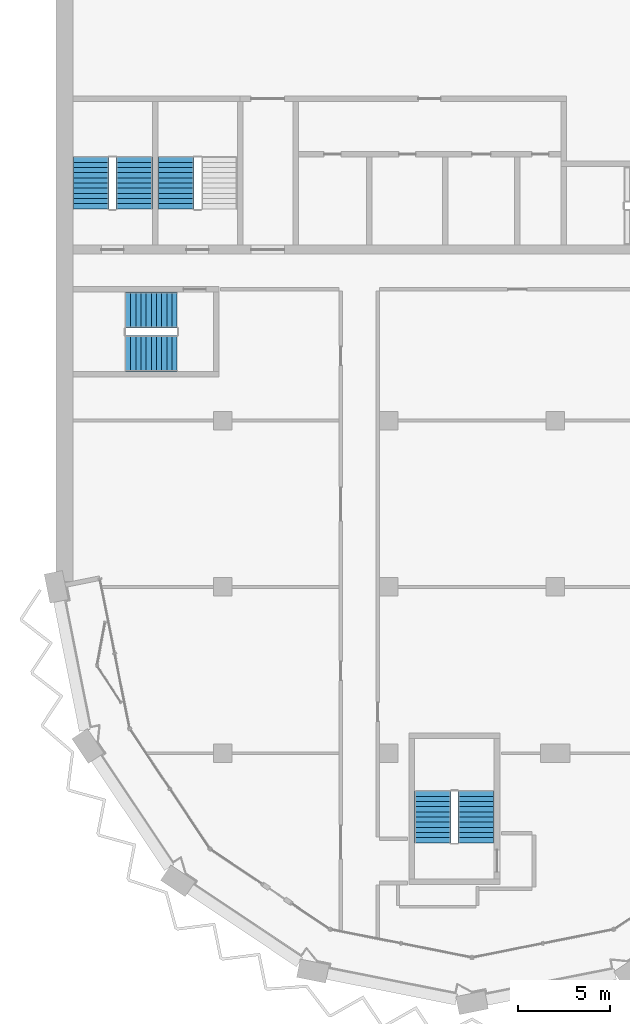
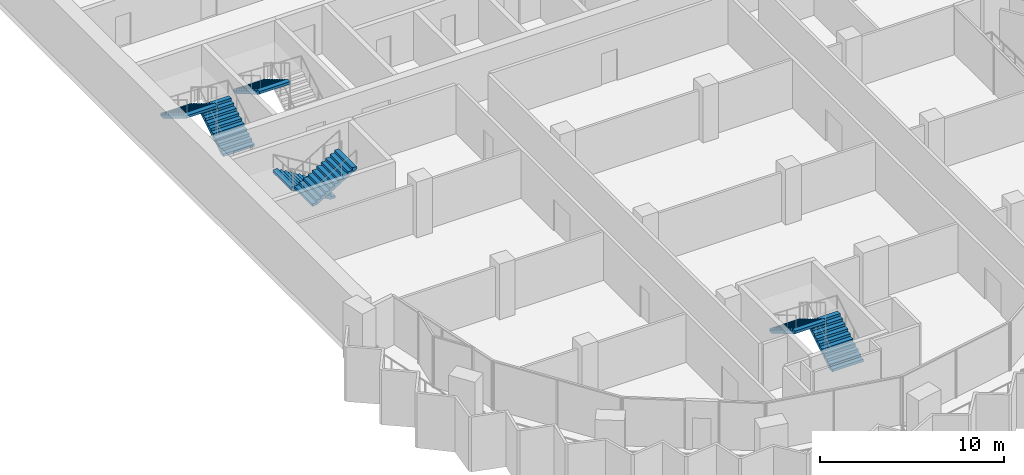
# One storey, part 12 of 17: 7 stair flights, 4 elements without a shape of their own.
"""IFC4 building model written with IfcOpenShell, lengths in metres."""

import ifcopenshell
import ifcopenshell.guid

model = None  # the IFC model being written
_history = None  # IfcOwnerHistory: only IFC2X3 demands one
_inside = {}  # id of a spatial element -> (the spatial element, [elements in it])
_under = {}  # id of a project, library or spatial element -> (it, [spatial elements below it])
_declared = {}  # id of a project -> (the project, [libraries it declares])
_typed = {}  # id of a type object -> (the type object, [elements of that type])
_made_of = {}  # id of a material, layer set ... -> (it, [elements and type objects made of it])


def new_model(schema):
    """Start an empty IFC model of exactly this schema.

    Asked for "IFC4X3", IfcOpenShell would pick the latest addendum, in which some entities
    have other attributes; the version numbers below select the first issue.
    IFC2X3 requires an IfcOwnerHistory on every rooted entity: one is made here for all.
    """
    global model, _history
    if schema == "IFC4X3":
        model = ifcopenshell.file(schema_version=(4, 3, 0, 0))
    else:
        model = ifcopenshell.file(schema=schema)
    _inside.clear()
    _under.clear()
    _declared.clear()
    _typed.clear()
    _made_of.clear()
    _history = None
    if model.schema == "IFC2X3":
        org = make("IfcOrganization", Name="unknown")
        user = make(
            "IfcPersonAndOrganization",
            ThePerson=make("IfcPerson", FamilyName="unknown"),
            TheOrganization=org,
        )
        app = make(
            "IfcApplication",
            ApplicationDeveloper=org,
            Version="unknown",
            ApplicationFullName="unknown",
            ApplicationIdentifier="unknown",
        )
        _history = make(
            "IfcOwnerHistory",
            OwningUser=user,
            OwningApplication=app,
            ChangeAction="ADDED",
            CreationDate=0,
        )
    return model


def make(cls, **values):
    """One entity of the class cls with the attributes given. An attribute that is None is left unset."""
    return model.create_entity(
        cls, **{name: value for name, value in values.items() if value is not None}
    )


def rooted(cls, **values):
    """An entity with a GlobalId (a new one), such as an element, a storey or a relation."""
    return make(cls, GlobalId=ifcopenshell.guid.new(), OwnerHistory=_history, **values)


def si_unit(unit_type, name, prefix=None):
    """IfcSIUnit, for example si_unit("LENGTHUNIT", "METRE", prefix="MILLI")."""
    return make("IfcSIUnit", UnitType=unit_type, Prefix=prefix, Name=name)


def assignment(units):
    """IfcUnitAssignment: the units of a project."""
    return None if units is None else make("IfcUnitAssignment", Units=units)


def point(xyz):
    """IfcCartesianPoint."""
    return None if xyz is None else make("IfcCartesianPoint", Coordinates=xyz)


def direction(xyz):
    """IfcDirection."""
    return None if xyz is None else make("IfcDirection", DirectionRatios=xyz)


def frame(location, z_axis=None, x_axis=None):
    """IfcAxis2Placement3D, a coordinate frame: its origin and axes. An axis left out is left unset."""
    return make(
        "IfcAxis2Placement3D",
        Location=point(location),
        Axis=direction(z_axis),
        RefDirection=direction(x_axis),
    )


def origin():
    """The frame at (0, 0, 0) with its axes left unset."""
    return frame((0.0, 0.0, 0.0))


def place(relative_to, where):
    """IfcLocalPlacement: puts the frame where relative to a parent placement (None: the world)."""
    return make(
        "IfcLocalPlacement", PlacementRelTo=relative_to, RelativePlacement=where
    )


def context(
    kind, dimensions, precision=None, world=None, true_north=None, identifier=None
):
    """IfcGeometricRepresentationContext, for example the 3D "Model" context."""
    return make(
        "IfcGeometricRepresentationContext",
        ContextIdentifier=identifier,
        ContextType=kind,
        CoordinateSpaceDimension=dimensions,
        Precision=precision,
        WorldCoordinateSystem=world,
        TrueNorth=true_north,
    )


def subcontext(parent, identifier, kind, view, scale=None):
    """IfcGeometricRepresentationSubContext, for example "Body" below "Model"."""
    return make(
        "IfcGeometricRepresentationSubContext",
        ContextIdentifier=identifier,
        ContextType=kind,
        ParentContext=parent,
        TargetScale=scale,
        TargetView=view,
    )


def project(units=None, contexts=None):
    """IfcProject with its units and contexts."""
    return rooted(
        "IfcProject",
        Name="project",
        RepresentationContexts=contexts,
        UnitsInContext=assignment(units),
    )


def spatial(cls, under=None, at=None, **own):
    """A site, building, storey or space (cls), placed at a placement, below another one or the project."""
    s = rooted(cls, ObjectPlacement=at, **own)
    if under is not None:
        _under.setdefault(under.id(), (under, []))[1].append(s)
    return s


def polyline(points):
    """IfcPolyline through the points."""
    return make("IfcPolyline", Points=[point(p) for p in points])


def outline(outer, holes=None, kind="AREA"):
    """IfcArbitraryClosedProfileDef: a profile drawn as a closed curve; with holes, ...WithVoids."""
    if holes is None:
        return make("IfcArbitraryClosedProfileDef", ProfileType=kind, OuterCurve=outer)
    return make(
        "IfcArbitraryProfileDefWithVoids",
        ProfileType=kind,
        OuterCurve=outer,
        InnerCurves=holes,
    )


def extrude(swept, where, along, depth):
    """IfcExtrudedAreaSolid: the profile swept, set in the frame where, extruded along a direction by depth."""
    return make(
        "IfcExtrudedAreaSolid",
        SweptArea=swept,
        Position=where,
        ExtrudedDirection=direction(along),
        Depth=depth,
    )


def shape(context_of_items, identifier, shape_type, items):
    """IfcShapeRepresentation: the items that make up one representation, for example the "Body"."""
    return make(
        "IfcShapeRepresentation",
        ContextOfItems=context_of_items,
        RepresentationIdentifier=identifier,
        RepresentationType=shape_type,
        Items=items,
    )


def material(Name=None, Category=None):
    """IfcMaterial."""
    return make("IfcMaterial", Name=Name, Category=Category)


def made_of(thing, what):
    """Note that an element or type object is made of a material, layer set ...; save() writes the relation."""
    if what is not None:
        _made_of.setdefault(what.id(), (what, []))[1].append(thing)
    return thing


def type_object(cls, material=None, **own):
    """A type object (cls), such as IfcWallType, which elements share."""
    return made_of(rooted(cls, **own), material)


def element(
    cls,
    number,
    at=None,
    inside=None,
    cuts=None,
    type_object=None,
    material=None,
    context=None,
    identifier="Body",
    shape_type=None,
    held_by="IfcProductDefinitionShape",
    body=None,
    shapes=None,
    **own,
):
    """One element of the class cls, such as IfcWall. Its Tag is "e" and its number.

    at: its placement. inside: the storey or other place that contains it. cuts: it is an
    opening in that element (IfcRelVoidsElement). A single representation is given by context,
    identifier, shape_type and body (its items); several are given by shapes. held_by: the class
    of the entity that holds the representations. save() writes the other relations.
    """
    e = rooted(cls, Tag="e%d" % number, ObjectPlacement=at, **own)
    if body is not None:
        shapes = [shape(context, identifier, shape_type, body)]
    if shapes is not None:
        e.Representation = make(held_by, Representations=shapes)
    if inside is not None:
        _inside.setdefault(inside.id(), (inside, []))[1].append(e)
    if cuts is not None:
        rooted(
            "IfcRelVoidsElement", RelatingBuildingElement=cuts, RelatedOpeningElement=e
        )
    if type_object is not None:
        _typed.setdefault(type_object.id(), (type_object, []))[1].append(e)
    return made_of(e, material)


def aggregate(whole, parts):
    """IfcRelAggregates: a whole, such as a stair, and the parts it consists of."""
    return rooted("IfcRelAggregates", RelatingObject=whole, RelatedObjects=parts)


def save(model, path):
    """Write the relations noted so far, then the file.

    IfcRelAggregates (storeys below a building ...), IfcRelContainedInSpatialStructure (elements
    in a storey), IfcRelDefinesByType, IfcRelAssociatesMaterial and IfcRelDeclares: one each for
    every whole, place, type object, material and project.
    """
    for whole, parts in _under.values():
        aggregate(whole, parts)
    for where, things in _inside.values():
        rooted(
            "IfcRelContainedInSpatialStructure",
            RelatedElements=things,
            RelatingStructure=where,
        )
    for kind, things in _typed.values():
        rooted("IfcRelDefinesByType", RelatedObjects=things, RelatingType=kind)
    for what, things in _made_of.values():
        rooted("IfcRelAssociatesMaterial", RelatedObjects=things, RelatingMaterial=what)
    for by, libraries in _declared.values():
        rooted("IfcRelDeclares", RelatingContext=by, RelatedDefinitions=libraries)
    model.write(path)


model = new_model("IFC4")

# Units and contexts
model_context = context("Model", 3, precision=1e-05, world=origin(), true_north=direction((0.0, 1.0)))
body_context = subcontext(model_context, "Body", "Model", "MODEL_VIEW")
ifc_project = project(units=[si_unit("LENGTHUNIT", "METRE"), si_unit("AREAUNIT", "SQUARE_METRE"), si_unit("VOLUMEUNIT", "CUBIC_METRE"), si_unit("PLANEANGLEUNIT", "RADIAN"), si_unit("MASSUNIT", "GRAM", prefix="KILO")], contexts=[model_context])

# Site, building, storey
site_placement = place(None, origin())
site = spatial("IfcSite", under=ifc_project, at=site_placement, CompositionType="ELEMENT")
building_placement = place(site_placement, origin())
building = spatial("IfcBuilding", under=site, at=building_placement, Name="Hunhe Ridgeline Campus", CompositionType="ELEMENT")
storey_placement = place(building_placement, frame((0.0, 0.0, 272.5)))
storey = spatial("IfcBuildingStorey", under=building, at=storey_placement, Name="L70", CompositionType="ELEMENT", Elevation=272.5)

# Stair, stair flights
ifc_material = material(Name="Concrete C40", Category="concrete")
stair_type = type_object("IfcStairType", Name="Reinforced concrete dog-leg stair 1950 Concrete C40", PredefinedType="HALF_TURN_STAIR", material=ifc_material)
stair_1_placement = place(storey_placement, origin())
stair_1 = element("IfcStair", 1, at=stair_1_placement, inside=storey, type_object=stair_type, Name="L70 S3", PredefinedType="HALF_TURN_STAIR")
stair_flight_type = type_object("IfcStairFlightType", Name="Reinforced concrete stair flight 1950 Concrete C40", PredefinedType="STRAIGHT", material=ifc_material)
stair_flight_1_placement = place(storey_placement, frame((4.22509765625, 65.449951171875, 0.0), z_axis=(0.0, 0.0, 1.0), x_axis=(0.0, 1.0, 0.0)))
stair_flight_1 = element("IfcStairFlight", 2, at=stair_flight_1_placement, type_object=stair_flight_type, Name="ST3 flight 1", NumberOfRisers=11, NumberOfTreads=10, PredefinedType="STRAIGHT", RiserHeight=0.168181818, TreadLength=0.28, context=body_context, shape_type="SweptSolid", body=[
    extrude(outline(polyline([(0.0, 0.0), (0.0, 0.168212890625), (0.280029296875, 0.168212890625), (0.280029296875, 0.33642578125), (0.56005859375, 0.33642578125), (0.56005859375, 0.504638671875), (0.840087890625, 0.504638671875), (0.840087890625, 0.672607421875), (1.1201171875, 0.672607421875), (1.1201171875, 0.8408203125), (1.39990234375, 0.8408203125), (1.39990234375, 1.009033203125), (1.679931640625, 1.009033203125), (1.679931640625, 1.17724609375), (1.9599609375, 1.17724609375), (1.9599609375, 1.345458984375), (2.239990234375, 1.345458984375), (2.239990234375, 1.513671875), (2.52001953125, 1.513671875), (2.52001953125, 1.681884765625), (2.800048828125, 1.681884765625), (2.800048828125, 1.85009765625), (2.800048828125, 1.5068359375), (0.291015625, 0.0), (0.0, 0.0)])), frame((0.0, 0.97509765625, 0.0), z_axis=(0.0, -1.0, 0.0), x_axis=(1.0, 0.0, 0.0)), (0.0, 0.0, 1.0), 1.949951171875),
    extrude(outline(polyline([(0.030029296875, 0.030029296875), (0.030029296875, 0.13818359375), (0.31005859375, 0.13818359375), (0.31005859375, 0.306396484375), (0.590087890625, 0.306396484375), (0.590087890625, 0.474609375), (0.8701171875, 0.474609375), (0.8701171875, 0.642578125), (1.14990234375, 0.642578125), (1.14990234375, 0.810791015625), (1.429931640625, 0.810791015625), (1.429931640625, 0.97900390625), (1.7099609375, 0.97900390625), (1.7099609375, 1.147216796875), (1.989990234375, 1.147216796875), (1.989990234375, 1.3154296875), (2.27001953125, 1.3154296875), (2.27001953125, 1.483642578125), (2.550048828125, 1.483642578125), (2.550048828125, 1.65185546875), (2.77001953125, 1.65185546875), (2.77001953125, 1.52392578125), (0.28271484375, 0.030029296875), (0.030029296875, 0.030029296875)])), frame((0.0, -0.070068359375, 0.0), z_axis=(0.0, -1.0, 0.0), x_axis=(1.0, 0.0, 0.0)), (0.0, 0.0, 1.0), 0.019775390625),
    extrude(outline(polyline([(0.030029296875, 0.030029296875), (0.030029296875, 0.13818359375), (0.31005859375, 0.13818359375), (0.31005859375, 0.306396484375), (0.590087890625, 0.306396484375), (0.590087890625, 0.474609375), (0.8701171875, 0.474609375), (0.8701171875, 0.642578125), (1.14990234375, 0.642578125), (1.14990234375, 0.810791015625), (1.429931640625, 0.810791015625), (1.429931640625, 0.97900390625), (1.7099609375, 0.97900390625), (1.7099609375, 1.147216796875), (1.989990234375, 1.147216796875), (1.989990234375, 1.3154296875), (2.27001953125, 1.3154296875), (2.27001953125, 1.483642578125), (2.550048828125, 1.483642578125), (2.550048828125, 1.65185546875), (2.77001953125, 1.65185546875), (2.77001953125, 1.52392578125), (0.28271484375, 0.030029296875), (0.030029296875, 0.030029296875)])), frame((0.0, 0.010009765625, 0.0), z_axis=(0.0, -1.0, 0.0), x_axis=(1.0, 0.0, 0.0)), (0.0, 0.0, 1.0), 0.019775390625),
    extrude(outline(polyline([(0.030029296875, 0.030029296875), (0.030029296875, 0.13818359375), (0.31005859375, 0.13818359375), (0.31005859375, 0.306396484375), (0.590087890625, 0.306396484375), (0.590087890625, 0.474609375), (0.8701171875, 0.474609375), (0.8701171875, 0.642578125), (1.14990234375, 0.642578125), (1.14990234375, 0.810791015625), (1.429931640625, 0.810791015625), (1.429931640625, 0.97900390625), (1.7099609375, 0.97900390625), (1.7099609375, 1.147216796875), (1.989990234375, 1.147216796875), (1.989990234375, 1.3154296875), (2.27001953125, 1.3154296875), (2.27001953125, 1.483642578125), (2.550048828125, 1.483642578125), (2.550048828125, 1.65185546875), (2.77001953125, 1.65185546875), (2.77001953125, 1.52392578125), (0.28271484375, 0.030029296875), (0.030029296875, 0.030029296875)])), frame((0.0, 0.090087890625, 0.0), z_axis=(0.0, -1.0, 0.0), x_axis=(1.0, 0.0, 0.0)), (0.0, 0.0, 1.0), 0.019775390625),
])
stair_flight_2_placement = place(storey_placement, frame((1.875, 68.25, 1.85009765625), z_axis=(0.0, 0.0, 1.0), x_axis=(0.0, -1.0, 0.0)))
stair_flight_2 = element("IfcStairFlight", 3, at=stair_flight_2_placement, type_object=stair_flight_type, Name="ST3 flight 2", NumberOfRisers=11, NumberOfTreads=10, PredefinedType="STRAIGHT", RiserHeight=0.168181818, TreadLength=0.28, context=body_context, shape_type="SweptSolid", body=[
    extrude(outline(polyline([(0.0, 0.0), (0.0, 0.168212890625), (0.280029296875, 0.168212890625), (0.280029296875, 0.33642578125), (0.56005859375, 0.33642578125), (0.56005859375, 0.504638671875), (0.840087890625, 0.504638671875), (0.840087890625, 0.672607421875), (1.1201171875, 0.672607421875), (1.1201171875, 0.8408203125), (1.39990234375, 0.8408203125), (1.39990234375, 1.009033203125), (1.679931640625, 1.009033203125), (1.679931640625, 1.17724609375), (1.9599609375, 1.17724609375), (1.9599609375, 1.345458984375), (2.239990234375, 1.345458984375), (2.239990234375, 1.513671875), (2.52001953125, 1.513671875), (2.52001953125, 1.681884765625), (2.800048828125, 1.681884765625), (2.800048828125, 1.85009765625), (2.800048828125, 1.5068359375), (0.291015625, 0.0), (0.0, 0.0)])), frame((0.0, 0.97509765625, 0.0), z_axis=(0.0, -1.0, 0.0), x_axis=(1.0, 0.0, 0.0)), (0.0, 0.0, 1.0), 1.949951171875),
    extrude(outline(polyline([(0.030029296875, 0.030029296875), (0.030029296875, 0.13818359375), (0.31005859375, 0.13818359375), (0.31005859375, 0.306396484375), (0.590087890625, 0.306396484375), (0.590087890625, 0.474609375), (0.8701171875, 0.474609375), (0.8701171875, 0.642578125), (1.14990234375, 0.642578125), (1.14990234375, 0.810791015625), (1.429931640625, 0.810791015625), (1.429931640625, 0.97900390625), (1.7099609375, 0.97900390625), (1.7099609375, 1.147216796875), (1.989990234375, 1.147216796875), (1.989990234375, 1.3154296875), (2.27001953125, 1.3154296875), (2.27001953125, 1.483642578125), (2.550048828125, 1.483642578125), (2.550048828125, 1.65185546875), (2.77001953125, 1.65185546875), (2.77001953125, 1.52392578125), (0.28271484375, 0.030029296875), (0.030029296875, 0.030029296875)])), frame((0.0, -0.070068359375, 0.0), z_axis=(0.0, -1.0, 0.0), x_axis=(1.0, 0.0, 0.0)), (0.0, 0.0, 1.0), 0.019775390625),
    extrude(outline(polyline([(0.030029296875, 0.030029296875), (0.030029296875, 0.13818359375), (0.31005859375, 0.13818359375), (0.31005859375, 0.306396484375), (0.590087890625, 0.306396484375), (0.590087890625, 0.474609375), (0.8701171875, 0.474609375), (0.8701171875, 0.642578125), (1.14990234375, 0.642578125), (1.14990234375, 0.810791015625), (1.429931640625, 0.810791015625), (1.429931640625, 0.97900390625), (1.7099609375, 0.97900390625), (1.7099609375, 1.147216796875), (1.989990234375, 1.147216796875), (1.989990234375, 1.3154296875), (2.27001953125, 1.3154296875), (2.27001953125, 1.483642578125), (2.550048828125, 1.483642578125), (2.550048828125, 1.65185546875), (2.77001953125, 1.65185546875), (2.77001953125, 1.52392578125), (0.28271484375, 0.030029296875), (0.030029296875, 0.030029296875)])), frame((0.0, 0.010009765625, 0.0), z_axis=(0.0, -1.0, 0.0), x_axis=(1.0, 0.0, 0.0)), (0.0, 0.0, 1.0), 0.019775390625),
    extrude(outline(polyline([(0.030029296875, 0.030029296875), (0.030029296875, 0.13818359375), (0.31005859375, 0.13818359375), (0.31005859375, 0.306396484375), (0.590087890625, 0.306396484375), (0.590087890625, 0.474609375), (0.8701171875, 0.474609375), (0.8701171875, 0.642578125), (1.14990234375, 0.642578125), (1.14990234375, 0.810791015625), (1.429931640625, 0.810791015625), (1.429931640625, 0.97900390625), (1.7099609375, 0.97900390625), (1.7099609375, 1.147216796875), (1.989990234375, 1.147216796875), (1.989990234375, 1.3154296875), (2.27001953125, 1.3154296875), (2.27001953125, 1.483642578125), (2.550048828125, 1.483642578125), (2.550048828125, 1.65185546875), (2.77001953125, 1.65185546875), (2.77001953125, 1.52392578125), (0.28271484375, 0.030029296875), (0.030029296875, 0.030029296875)])), frame((0.0, 0.090087890625, 0.0), z_axis=(0.0, -1.0, 0.0), x_axis=(1.0, 0.0, 0.0)), (0.0, 0.0, 1.0), 0.019775390625),
])
aggregate(stair_1, [stair_flight_1, stair_flight_2])

# Stair, stair flight
stair_2_placement = place(storey_placement, origin())
stair_2 = element("IfcStair", 4, at=stair_2_placement, inside=storey, type_object=stair_type, Name="L70 S4", PredefinedType="HALF_TURN_STAIR")
stair_flight_3_placement = place(storey_placement, frame((6.47509765625, 68.25, 1.85009765625), z_axis=(0.0, 0.0, 1.0), x_axis=(0.0, -1.0, 0.0)))
stair_flight_3 = element("IfcStairFlight", 5, at=stair_flight_3_placement, type_object=stair_flight_type, Name="ST4 flight 2", NumberOfRisers=11, NumberOfTreads=10, PredefinedType="STRAIGHT", RiserHeight=0.168181818, TreadLength=0.28, context=body_context, shape_type="SweptSolid", body=[
    extrude(outline(polyline([(0.0, 0.0), (0.0, 0.168212890625), (0.280029296875, 0.168212890625), (0.280029296875, 0.33642578125), (0.56005859375, 0.33642578125), (0.56005859375, 0.504638671875), (0.840087890625, 0.504638671875), (0.840087890625, 0.672607421875), (1.1201171875, 0.672607421875), (1.1201171875, 0.8408203125), (1.39990234375, 0.8408203125), (1.39990234375, 1.009033203125), (1.679931640625, 1.009033203125), (1.679931640625, 1.17724609375), (1.9599609375, 1.17724609375), (1.9599609375, 1.345458984375), (2.239990234375, 1.345458984375), (2.239990234375, 1.513671875), (2.52001953125, 1.513671875), (2.52001953125, 1.681884765625), (2.800048828125, 1.681884765625), (2.800048828125, 1.85009765625), (2.800048828125, 1.5068359375), (0.291015625, 0.0), (0.0, 0.0)])), frame((0.0, 0.97509765625, 0.0), z_axis=(0.0, -1.0, 0.0), x_axis=(1.0, 0.0, 0.0)), (0.0, 0.0, 1.0), 1.949951171875),
    extrude(outline(polyline([(0.030029296875, 0.030029296875), (0.030029296875, 0.13818359375), (0.31005859375, 0.13818359375), (0.31005859375, 0.306396484375), (0.590087890625, 0.306396484375), (0.590087890625, 0.474609375), (0.8701171875, 0.474609375), (0.8701171875, 0.642578125), (1.14990234375, 0.642578125), (1.14990234375, 0.810791015625), (1.429931640625, 0.810791015625), (1.429931640625, 0.97900390625), (1.7099609375, 0.97900390625), (1.7099609375, 1.147216796875), (1.989990234375, 1.147216796875), (1.989990234375, 1.3154296875), (2.27001953125, 1.3154296875), (2.27001953125, 1.483642578125), (2.550048828125, 1.483642578125), (2.550048828125, 1.65185546875), (2.77001953125, 1.65185546875), (2.77001953125, 1.52392578125), (0.28271484375, 0.030029296875), (0.030029296875, 0.030029296875)])), frame((0.0, -0.070068359375, 0.0), z_axis=(0.0, -1.0, 0.0), x_axis=(1.0, 0.0, 0.0)), (0.0, 0.0, 1.0), 0.019775390625),
    extrude(outline(polyline([(0.030029296875, 0.030029296875), (0.030029296875, 0.13818359375), (0.31005859375, 0.13818359375), (0.31005859375, 0.306396484375), (0.590087890625, 0.306396484375), (0.590087890625, 0.474609375), (0.8701171875, 0.474609375), (0.8701171875, 0.642578125), (1.14990234375, 0.642578125), (1.14990234375, 0.810791015625), (1.429931640625, 0.810791015625), (1.429931640625, 0.97900390625), (1.7099609375, 0.97900390625), (1.7099609375, 1.147216796875), (1.989990234375, 1.147216796875), (1.989990234375, 1.3154296875), (2.27001953125, 1.3154296875), (2.27001953125, 1.483642578125), (2.550048828125, 1.483642578125), (2.550048828125, 1.65185546875), (2.77001953125, 1.65185546875), (2.77001953125, 1.52392578125), (0.28271484375, 0.030029296875), (0.030029296875, 0.030029296875)])), frame((0.0, 0.010009765625, 0.0), z_axis=(0.0, -1.0, 0.0), x_axis=(1.0, 0.0, 0.0)), (0.0, 0.0, 1.0), 0.019775390625),
    extrude(outline(polyline([(0.030029296875, 0.030029296875), (0.030029296875, 0.13818359375), (0.31005859375, 0.13818359375), (0.31005859375, 0.306396484375), (0.590087890625, 0.306396484375), (0.590087890625, 0.474609375), (0.8701171875, 0.474609375), (0.8701171875, 0.642578125), (1.14990234375, 0.642578125), (1.14990234375, 0.810791015625), (1.429931640625, 0.810791015625), (1.429931640625, 0.97900390625), (1.7099609375, 0.97900390625), (1.7099609375, 1.147216796875), (1.989990234375, 1.147216796875), (1.989990234375, 1.3154296875), (2.27001953125, 1.3154296875), (2.27001953125, 1.483642578125), (2.550048828125, 1.483642578125), (2.550048828125, 1.65185546875), (2.77001953125, 1.65185546875), (2.77001953125, 1.52392578125), (0.28271484375, 0.030029296875), (0.030029296875, 0.030029296875)])), frame((0.0, 0.090087890625, 0.0), z_axis=(0.0, -1.0, 0.0), x_axis=(1.0, 0.0, 0.0)), (0.0, 0.0, 1.0), 0.019775390625),
])
aggregate(stair_2, [stair_flight_3])

# Stair, stair flights
stair_3_placement = place(storey_placement, origin())
stair_3 = element("IfcStair", 6, at=stair_3_placement, inside=storey, type_object=stair_type, Name="L70 W3", PredefinedType="HALF_TURN_STAIR")
stair_flight_4_placement = place(storey_placement, frame((22.72509765625, 31.14990234375, 0.0), z_axis=(0.0, 0.0, 1.0), x_axis=(0.0, 1.0, 0.0)))
stair_flight_4 = element("IfcStairFlight", 7, at=stair_flight_4_placement, type_object=stair_flight_type, Name="ST9 flight 1", NumberOfRisers=11, NumberOfTreads=10, PredefinedType="STRAIGHT", RiserHeight=0.168181818, TreadLength=0.28, context=body_context, shape_type="SweptSolid", body=[
    extrude(outline(polyline([(0.0, 0.0), (0.0, 0.168212890625), (0.280029296875, 0.168212890625), (0.280029296875, 0.33642578125), (0.56005859375, 0.33642578125), (0.56005859375, 0.504638671875), (0.840087890625, 0.504638671875), (0.840087890625, 0.672607421875), (1.1201171875, 0.672607421875), (1.1201171875, 0.8408203125), (1.39990234375, 0.8408203125), (1.39990234375, 1.009033203125), (1.679931640625, 1.009033203125), (1.679931640625, 1.17724609375), (1.9599609375, 1.17724609375), (1.9599609375, 1.345458984375), (2.239990234375, 1.345458984375), (2.239990234375, 1.513671875), (2.52001953125, 1.513671875), (2.52001953125, 1.681884765625), (2.800048828125, 1.681884765625), (2.800048828125, 1.85009765625), (2.800048828125, 1.5068359375), (0.291015625, 0.0), (0.0, 0.0)])), frame((0.0, 0.97509765625, 0.0), z_axis=(0.0, -1.0, 0.0), x_axis=(1.0, 0.0, 0.0)), (0.0, 0.0, 1.0), 1.949951171875),
    extrude(outline(polyline([(0.030029296875, 0.030029296875), (0.030029296875, 0.13818359375), (0.31005859375, 0.13818359375), (0.31005859375, 0.306396484375), (0.590087890625, 0.306396484375), (0.590087890625, 0.474609375), (0.8701171875, 0.474609375), (0.8701171875, 0.642578125), (1.14990234375, 0.642578125), (1.14990234375, 0.810791015625), (1.429931640625, 0.810791015625), (1.429931640625, 0.97900390625), (1.7099609375, 0.97900390625), (1.7099609375, 1.147216796875), (1.989990234375, 1.147216796875), (1.989990234375, 1.3154296875), (2.27001953125, 1.3154296875), (2.27001953125, 1.483642578125), (2.550048828125, 1.483642578125), (2.550048828125, 1.65185546875), (2.77001953125, 1.65185546875), (2.77001953125, 1.52392578125), (0.28271484375, 0.030029296875), (0.030029296875, 0.030029296875)])), frame((0.0, -0.070068359375, 0.0), z_axis=(0.0, -1.0, 0.0), x_axis=(1.0, 0.0, 0.0)), (0.0, 0.0, 1.0), 0.019775390625),
    extrude(outline(polyline([(0.030029296875, 0.030029296875), (0.030029296875, 0.13818359375), (0.31005859375, 0.13818359375), (0.31005859375, 0.306396484375), (0.590087890625, 0.306396484375), (0.590087890625, 0.474609375), (0.8701171875, 0.474609375), (0.8701171875, 0.642578125), (1.14990234375, 0.642578125), (1.14990234375, 0.810791015625), (1.429931640625, 0.810791015625), (1.429931640625, 0.97900390625), (1.7099609375, 0.97900390625), (1.7099609375, 1.147216796875), (1.989990234375, 1.147216796875), (1.989990234375, 1.3154296875), (2.27001953125, 1.3154296875), (2.27001953125, 1.483642578125), (2.550048828125, 1.483642578125), (2.550048828125, 1.65185546875), (2.77001953125, 1.65185546875), (2.77001953125, 1.52392578125), (0.28271484375, 0.030029296875), (0.030029296875, 0.030029296875)])), frame((0.0, 0.010009765625, 0.0), z_axis=(0.0, -1.0, 0.0), x_axis=(1.0, 0.0, 0.0)), (0.0, 0.0, 1.0), 0.019775390625),
    extrude(outline(polyline([(0.030029296875, 0.030029296875), (0.030029296875, 0.13818359375), (0.31005859375, 0.13818359375), (0.31005859375, 0.306396484375), (0.590087890625, 0.306396484375), (0.590087890625, 0.474609375), (0.8701171875, 0.474609375), (0.8701171875, 0.642578125), (1.14990234375, 0.642578125), (1.14990234375, 0.810791015625), (1.429931640625, 0.810791015625), (1.429931640625, 0.97900390625), (1.7099609375, 0.97900390625), (1.7099609375, 1.147216796875), (1.989990234375, 1.147216796875), (1.989990234375, 1.3154296875), (2.27001953125, 1.3154296875), (2.27001953125, 1.483642578125), (2.550048828125, 1.483642578125), (2.550048828125, 1.65185546875), (2.77001953125, 1.65185546875), (2.77001953125, 1.52392578125), (0.28271484375, 0.030029296875), (0.030029296875, 0.030029296875)])), frame((0.0, 0.090087890625, 0.0), z_axis=(0.0, -1.0, 0.0), x_axis=(1.0, 0.0, 0.0)), (0.0, 0.0, 1.0), 0.019775390625),
])
stair_flight_5_placement = place(storey_placement, frame((20.375, 33.949951171875, 1.85009765625), z_axis=(0.0, 0.0, 1.0), x_axis=(0.0, -1.0, 0.0)))
stair_flight_5 = element("IfcStairFlight", 8, at=stair_flight_5_placement, type_object=stair_flight_type, Name="ST9 flight 2", NumberOfRisers=11, NumberOfTreads=10, PredefinedType="STRAIGHT", RiserHeight=0.168181818, TreadLength=0.28, context=body_context, shape_type="SweptSolid", body=[
    extrude(outline(polyline([(0.0, 0.0), (0.0, 0.168212890625), (0.280029296875, 0.168212890625), (0.280029296875, 0.33642578125), (0.56005859375, 0.33642578125), (0.56005859375, 0.504638671875), (0.840087890625, 0.504638671875), (0.840087890625, 0.672607421875), (1.1201171875, 0.672607421875), (1.1201171875, 0.8408203125), (1.39990234375, 0.8408203125), (1.39990234375, 1.009033203125), (1.679931640625, 1.009033203125), (1.679931640625, 1.17724609375), (1.9599609375, 1.17724609375), (1.9599609375, 1.345458984375), (2.239990234375, 1.345458984375), (2.239990234375, 1.513671875), (2.52001953125, 1.513671875), (2.52001953125, 1.681884765625), (2.800048828125, 1.681884765625), (2.800048828125, 1.85009765625), (2.800048828125, 1.5068359375), (0.291015625, 0.0), (0.0, 0.0)])), frame((0.0, 0.97509765625, 0.0), z_axis=(0.0, -1.0, 0.0), x_axis=(1.0, 0.0, 0.0)), (0.0, 0.0, 1.0), 1.949951171875),
    extrude(outline(polyline([(0.030029296875, 0.030029296875), (0.030029296875, 0.13818359375), (0.31005859375, 0.13818359375), (0.31005859375, 0.306396484375), (0.590087890625, 0.306396484375), (0.590087890625, 0.474609375), (0.8701171875, 0.474609375), (0.8701171875, 0.642578125), (1.14990234375, 0.642578125), (1.14990234375, 0.810791015625), (1.429931640625, 0.810791015625), (1.429931640625, 0.97900390625), (1.7099609375, 0.97900390625), (1.7099609375, 1.147216796875), (1.989990234375, 1.147216796875), (1.989990234375, 1.3154296875), (2.27001953125, 1.3154296875), (2.27001953125, 1.483642578125), (2.550048828125, 1.483642578125), (2.550048828125, 1.65185546875), (2.77001953125, 1.65185546875), (2.77001953125, 1.52392578125), (0.28271484375, 0.030029296875), (0.030029296875, 0.030029296875)])), frame((0.0, -0.070068359375, 0.0), z_axis=(0.0, -1.0, 0.0), x_axis=(1.0, 0.0, 0.0)), (0.0, 0.0, 1.0), 0.019775390625),
    extrude(outline(polyline([(0.030029296875, 0.030029296875), (0.030029296875, 0.13818359375), (0.31005859375, 0.13818359375), (0.31005859375, 0.306396484375), (0.590087890625, 0.306396484375), (0.590087890625, 0.474609375), (0.8701171875, 0.474609375), (0.8701171875, 0.642578125), (1.14990234375, 0.642578125), (1.14990234375, 0.810791015625), (1.429931640625, 0.810791015625), (1.429931640625, 0.97900390625), (1.7099609375, 0.97900390625), (1.7099609375, 1.147216796875), (1.989990234375, 1.147216796875), (1.989990234375, 1.3154296875), (2.27001953125, 1.3154296875), (2.27001953125, 1.483642578125), (2.550048828125, 1.483642578125), (2.550048828125, 1.65185546875), (2.77001953125, 1.65185546875), (2.77001953125, 1.52392578125), (0.28271484375, 0.030029296875), (0.030029296875, 0.030029296875)])), frame((0.0, 0.010009765625, 0.0), z_axis=(0.0, -1.0, 0.0), x_axis=(1.0, 0.0, 0.0)), (0.0, 0.0, 1.0), 0.019775390625),
    extrude(outline(polyline([(0.030029296875, 0.030029296875), (0.030029296875, 0.13818359375), (0.31005859375, 0.13818359375), (0.31005859375, 0.306396484375), (0.590087890625, 0.306396484375), (0.590087890625, 0.474609375), (0.8701171875, 0.474609375), (0.8701171875, 0.642578125), (1.14990234375, 0.642578125), (1.14990234375, 0.810791015625), (1.429931640625, 0.810791015625), (1.429931640625, 0.97900390625), (1.7099609375, 0.97900390625), (1.7099609375, 1.147216796875), (1.989990234375, 1.147216796875), (1.989990234375, 1.3154296875), (2.27001953125, 1.3154296875), (2.27001953125, 1.483642578125), (2.550048828125, 1.483642578125), (2.550048828125, 1.65185546875), (2.77001953125, 1.65185546875), (2.77001953125, 1.52392578125), (0.28271484375, 0.030029296875), (0.030029296875, 0.030029296875)])), frame((0.0, 0.090087890625, 0.0), z_axis=(0.0, -1.0, 0.0), x_axis=(1.0, 0.0, 0.0)), (0.0, 0.0, 1.0), 0.019775390625),
])
aggregate(stair_3, [stair_flight_4, stair_flight_5])

stair_4_placement = place(storey_placement, origin())
stair_4 = element("IfcStair", 9, at=stair_4_placement, inside=storey, type_object=stair_type, Name="L70 W2", PredefinedType="HALF_TURN_STAIR")
stair_flight_6_placement = place(storey_placement, frame((6.550048828125, 59.97509765625, 0.0), z_axis=(0.0, 0.0, 1.0), x_axis=(-1.0, 0.0, 0.0)))
stair_flight_6 = element("IfcStairFlight", 10, at=stair_flight_6_placement, type_object=stair_flight_type, Name="ST12 flight 1", NumberOfRisers=11, NumberOfTreads=10, PredefinedType="STRAIGHT", RiserHeight=0.168181818, TreadLength=0.28, context=body_context, shape_type="SweptSolid", body=[
    extrude(outline(polyline([(0.0, 0.0), (0.0, 0.168212890625), (0.280029296875, 0.168212890625), (0.280029296875, 0.33642578125), (0.56005859375, 0.33642578125), (0.56005859375, 0.504638671875), (0.840087890625, 0.504638671875), (0.840087890625, 0.672607421875), (1.1201171875, 0.672607421875), (1.1201171875, 0.8408203125), (1.39990234375, 0.8408203125), (1.39990234375, 1.009033203125), (1.679931640625, 1.009033203125), (1.679931640625, 1.17724609375), (1.9599609375, 1.17724609375), (1.9599609375, 1.345458984375), (2.239990234375, 1.345458984375), (2.239990234375, 1.513671875), (2.52001953125, 1.513671875), (2.52001953125, 1.681884765625), (2.800048828125, 1.681884765625), (2.800048828125, 1.85009765625), (2.800048828125, 1.5068359375), (0.291015625, 0.0), (0.0, 0.0)])), frame((0.0, 0.97509765625, 0.0), z_axis=(0.0, -1.0, 0.0), x_axis=(1.0, 0.0, 0.0)), (0.0, 0.0, 1.0), 1.949951171875),
    extrude(outline(polyline([(0.030029296875, 0.030029296875), (0.030029296875, 0.13818359375), (0.31005859375, 0.13818359375), (0.31005859375, 0.306396484375), (0.590087890625, 0.306396484375), (0.590087890625, 0.474609375), (0.8701171875, 0.474609375), (0.8701171875, 0.642578125), (1.14990234375, 0.642578125), (1.14990234375, 0.810791015625), (1.429931640625, 0.810791015625), (1.429931640625, 0.97900390625), (1.7099609375, 0.97900390625), (1.7099609375, 1.147216796875), (1.989990234375, 1.147216796875), (1.989990234375, 1.3154296875), (2.27001953125, 1.3154296875), (2.27001953125, 1.483642578125), (2.550048828125, 1.483642578125), (2.550048828125, 1.65185546875), (2.77001953125, 1.65185546875), (2.77001953125, 1.52392578125), (0.28271484375, 0.030029296875), (0.030029296875, 0.030029296875)])), frame((0.0, -0.070068359375, 0.0), z_axis=(0.0, -1.0, 0.0), x_axis=(1.0, 0.0, 0.0)), (0.0, 0.0, 1.0), 0.019775390625),
    extrude(outline(polyline([(0.030029296875, 0.030029296875), (0.030029296875, 0.13818359375), (0.31005859375, 0.13818359375), (0.31005859375, 0.306396484375), (0.590087890625, 0.306396484375), (0.590087890625, 0.474609375), (0.8701171875, 0.474609375), (0.8701171875, 0.642578125), (1.14990234375, 0.642578125), (1.14990234375, 0.810791015625), (1.429931640625, 0.810791015625), (1.429931640625, 0.97900390625), (1.7099609375, 0.97900390625), (1.7099609375, 1.147216796875), (1.989990234375, 1.147216796875), (1.989990234375, 1.3154296875), (2.27001953125, 1.3154296875), (2.27001953125, 1.483642578125), (2.550048828125, 1.483642578125), (2.550048828125, 1.65185546875), (2.77001953125, 1.65185546875), (2.77001953125, 1.52392578125), (0.28271484375, 0.030029296875), (0.030029296875, 0.030029296875)])), frame((0.0, 0.010009765625, 0.0), z_axis=(0.0, -1.0, 0.0), x_axis=(1.0, 0.0, 0.0)), (0.0, 0.0, 1.0), 0.019775390625),
    extrude(outline(polyline([(0.030029296875, 0.030029296875), (0.030029296875, 0.13818359375), (0.31005859375, 0.13818359375), (0.31005859375, 0.306396484375), (0.590087890625, 0.306396484375), (0.590087890625, 0.474609375), (0.8701171875, 0.474609375), (0.8701171875, 0.642578125), (1.14990234375, 0.642578125), (1.14990234375, 0.810791015625), (1.429931640625, 0.810791015625), (1.429931640625, 0.97900390625), (1.7099609375, 0.97900390625), (1.7099609375, 1.147216796875), (1.989990234375, 1.147216796875), (1.989990234375, 1.3154296875), (2.27001953125, 1.3154296875), (2.27001953125, 1.483642578125), (2.550048828125, 1.483642578125), (2.550048828125, 1.65185546875), (2.77001953125, 1.65185546875), (2.77001953125, 1.52392578125), (0.28271484375, 0.030029296875), (0.030029296875, 0.030029296875)])), frame((0.0, 0.090087890625, 0.0), z_axis=(0.0, -1.0, 0.0), x_axis=(1.0, 0.0, 0.0)), (0.0, 0.0, 1.0), 0.019775390625),
])
stair_flight_7_placement = place(storey_placement, frame((3.75, 57.625, 1.85009765625), z_axis=(0.0, 0.0, 1.0), x_axis=(1.0, 0.0, 0.0)))
stair_flight_7 = element("IfcStairFlight", 11, at=stair_flight_7_placement, type_object=stair_flight_type, Name="ST12 flight 2", NumberOfRisers=11, NumberOfTreads=10, PredefinedType="STRAIGHT", RiserHeight=0.168181818, TreadLength=0.28, context=body_context, shape_type="SweptSolid", body=[
    extrude(outline(polyline([(0.0, 0.0), (0.0, 0.168212890625), (0.280029296875, 0.168212890625), (0.280029296875, 0.33642578125), (0.56005859375, 0.33642578125), (0.56005859375, 0.504638671875), (0.840087890625, 0.504638671875), (0.840087890625, 0.672607421875), (1.1201171875, 0.672607421875), (1.1201171875, 0.8408203125), (1.39990234375, 0.8408203125), (1.39990234375, 1.009033203125), (1.679931640625, 1.009033203125), (1.679931640625, 1.17724609375), (1.9599609375, 1.17724609375), (1.9599609375, 1.345458984375), (2.239990234375, 1.345458984375), (2.239990234375, 1.513671875), (2.52001953125, 1.513671875), (2.52001953125, 1.681884765625), (2.800048828125, 1.681884765625), (2.800048828125, 1.85009765625), (2.800048828125, 1.5068359375), (0.291015625, 0.0), (0.0, 0.0)])), frame((0.0, 0.97509765625, 0.0), z_axis=(0.0, -1.0, 0.0), x_axis=(1.0, 0.0, 0.0)), (0.0, 0.0, 1.0), 1.949951171875),
    extrude(outline(polyline([(0.030029296875, 0.030029296875), (0.030029296875, 0.13818359375), (0.31005859375, 0.13818359375), (0.31005859375, 0.306396484375), (0.590087890625, 0.306396484375), (0.590087890625, 0.474609375), (0.8701171875, 0.474609375), (0.8701171875, 0.642578125), (1.14990234375, 0.642578125), (1.14990234375, 0.810791015625), (1.429931640625, 0.810791015625), (1.429931640625, 0.97900390625), (1.7099609375, 0.97900390625), (1.7099609375, 1.147216796875), (1.989990234375, 1.147216796875), (1.989990234375, 1.3154296875), (2.27001953125, 1.3154296875), (2.27001953125, 1.483642578125), (2.550048828125, 1.483642578125), (2.550048828125, 1.65185546875), (2.77001953125, 1.65185546875), (2.77001953125, 1.52392578125), (0.28271484375, 0.030029296875), (0.030029296875, 0.030029296875)])), frame((0.0, -0.070068359375, 0.0), z_axis=(0.0, -1.0, 0.0), x_axis=(1.0, 0.0, 0.0)), (0.0, 0.0, 1.0), 0.019775390625),
    extrude(outline(polyline([(0.030029296875, 0.030029296875), (0.030029296875, 0.13818359375), (0.31005859375, 0.13818359375), (0.31005859375, 0.306396484375), (0.590087890625, 0.306396484375), (0.590087890625, 0.474609375), (0.8701171875, 0.474609375), (0.8701171875, 0.642578125), (1.14990234375, 0.642578125), (1.14990234375, 0.810791015625), (1.429931640625, 0.810791015625), (1.429931640625, 0.97900390625), (1.7099609375, 0.97900390625), (1.7099609375, 1.147216796875), (1.989990234375, 1.147216796875), (1.989990234375, 1.3154296875), (2.27001953125, 1.3154296875), (2.27001953125, 1.483642578125), (2.550048828125, 1.483642578125), (2.550048828125, 1.65185546875), (2.77001953125, 1.65185546875), (2.77001953125, 1.52392578125), (0.28271484375, 0.030029296875), (0.030029296875, 0.030029296875)])), frame((0.0, 0.010009765625, 0.0), z_axis=(0.0, -1.0, 0.0), x_axis=(1.0, 0.0, 0.0)), (0.0, 0.0, 1.0), 0.019775390625),
    extrude(outline(polyline([(0.030029296875, 0.030029296875), (0.030029296875, 0.13818359375), (0.31005859375, 0.13818359375), (0.31005859375, 0.306396484375), (0.590087890625, 0.306396484375), (0.590087890625, 0.474609375), (0.8701171875, 0.474609375), (0.8701171875, 0.642578125), (1.14990234375, 0.642578125), (1.14990234375, 0.810791015625), (1.429931640625, 0.810791015625), (1.429931640625, 0.97900390625), (1.7099609375, 0.97900390625), (1.7099609375, 1.147216796875), (1.989990234375, 1.147216796875), (1.989990234375, 1.3154296875), (2.27001953125, 1.3154296875), (2.27001953125, 1.483642578125), (2.550048828125, 1.483642578125), (2.550048828125, 1.65185546875), (2.77001953125, 1.65185546875), (2.77001953125, 1.52392578125), (0.28271484375, 0.030029296875), (0.030029296875, 0.030029296875)])), frame((0.0, 0.090087890625, 0.0), z_axis=(0.0, -1.0, 0.0), x_axis=(1.0, 0.0, 0.0)), (0.0, 0.0, 1.0), 0.019775390625),
])
aggregate(stair_4, [stair_flight_6, stair_flight_7])

save(model, "model.ifc")
